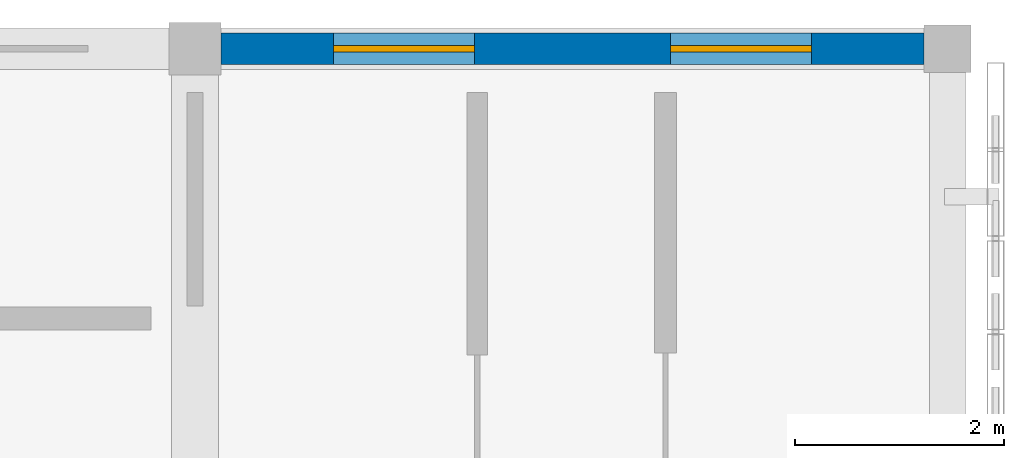
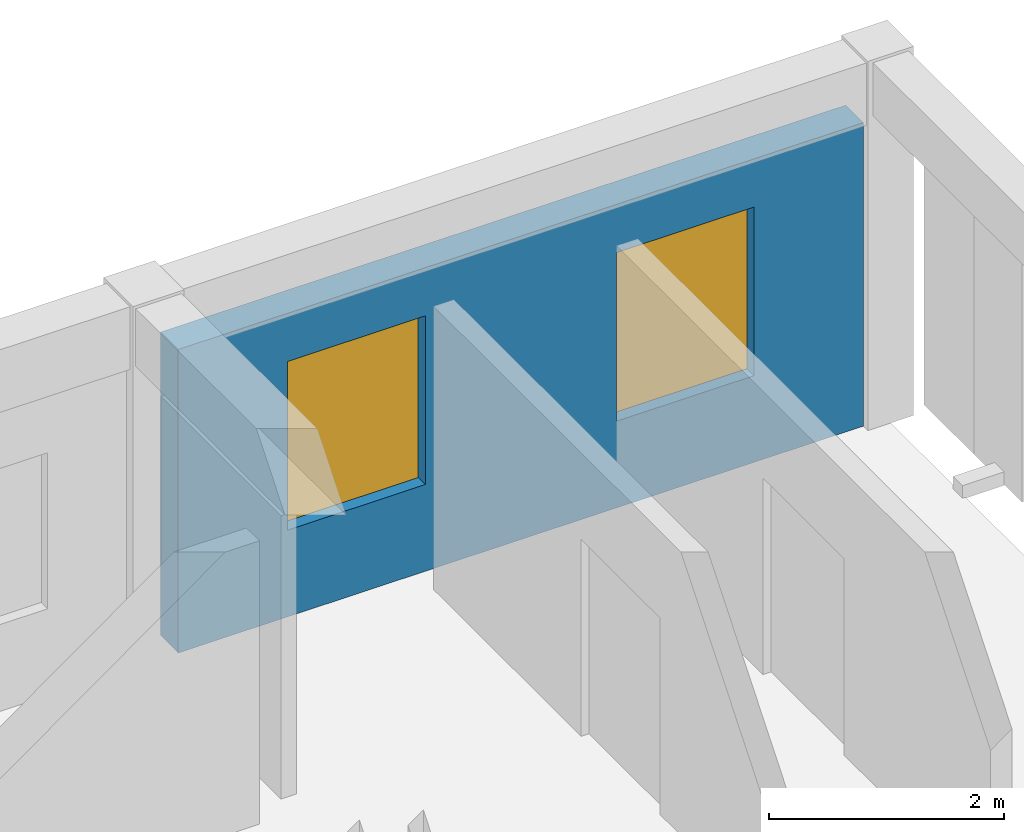
# One storey, part 28 of 33: 2 windows, 1 wall, 2 openings.
"""IFC4 building model written with IfcOpenShell, lengths in metres."""

from ifc_helpers import new_model, si_unit, direction, frame, frame_2d, origin, place, context, subcontext, project, spatial, rectangle, extrude, material, layer, layer_set, type_object, element, fill, save


model = new_model("IFC4")

# Units and contexts
model_context = context("Model", 3, precision=1e-05, world=origin(), true_north=direction((0.0, 1.0)))
body_context = subcontext(model_context, "Body", "Model", "MODEL_VIEW")
ifc_project = project(units=[si_unit("LENGTHUNIT", "METRE"), si_unit("AREAUNIT", "SQUARE_METRE"), si_unit("VOLUMEUNIT", "CUBIC_METRE"), si_unit("PLANEANGLEUNIT", "RADIAN"), si_unit("MASSUNIT", "GRAM", prefix="KILO")], contexts=[model_context])

# Site, building, storey
site_placement = place(None, origin())
site = spatial("IfcSite", under=ifc_project, at=site_placement, CompositionType="ELEMENT")
building_placement = place(site_placement, origin())
building = spatial("IfcBuilding", under=site, at=building_placement, Name="Aldebral Square Health Centre", CompositionType="ELEMENT")
storey_placement = place(building_placement, frame((0.0, 0.0, 17.550048828125)))
storey = spatial("IfcBuildingStorey", under=building, at=storey_placement, Name="L04", CompositionType="ELEMENT", Elevation=17.550048828125)

# Wall, openings, windows
ifc_material_1 = material(Name="Precast concrete C40/50 insulated panel", Category="concrete")
ifc_layer = layer(ifc_material_1, 0.300048828125, Name="Precast concrete C40/50 insulated panel", Category="concrete")
ifc_layer_set = layer_set([ifc_layer], Name="Precast concrete C40/50 insulated panel")
wall_type = type_object("IfcWallType", Name="EW-PRE-300", PredefinedType="STANDARD", material=ifc_layer_set)
wall_placement = place(storey_placement, frame((165.375, 115.199951171875, 0.0), z_axis=(0.0, 0.0, 1.0), x_axis=(-1.0, 0.0, 0.0)))
wall = element("IfcWall", 1, at=wall_placement, inside=storey, type_object=wall_type, Name="L04 V5 exterior wall L04-V5-22-15-N", PredefinedType="STANDARD", context=body_context, shape_type="SweptSolid", body=[
    extrude(rectangle(XDim=6.72509765625, YDim=0.300048828125, at=frame_2d((3.362548828125, 0.0))), origin(), (0.0, 0.0, 1.0), 3.14990234375),
])
opening_1_placement = place(wall_placement, frame((1.074951171875, 0.0, 0.89990234375)))
opening_1 = element("IfcOpeningElement", 2, at=opening_1_placement, cuts=wall, Name="Opening W40", PredefinedType="OPENING", context=body_context, shape_type="SweptSolid", body=[
    extrude(rectangle(XDim=1.35009765625, YDim=1.75, at=frame_2d((0.675048828125, 0.875))), frame((0.0, 0.16015625, 0.0), z_axis=(0.0, -1.0, 0.0), x_axis=(1.0, 0.0, 0.0)), (0.0, 0.0, 1.0), 0.320068359375),
])
opening_2_placement = place(wall_placement, frame((4.300048828125, 0.0, 0.89990234375)))
opening_2 = element("IfcOpeningElement", 3, at=opening_2_placement, cuts=wall, Name="Opening W40", PredefinedType="OPENING", context=body_context, shape_type="SweptSolid", body=[
    extrude(rectangle(XDim=1.35009765625, YDim=1.75, at=frame_2d((0.675048828125, 0.875))), frame((0.0, 0.16015625, 0.0), z_axis=(0.0, -1.0, 0.0), x_axis=(1.0, 0.0, 0.0)), (0.0, 0.0, 1.0), 0.320068359375),
])
ifc_material_2 = material(Name="Thermally broken aluminium and low-E glass", Category="aluminium")
window_type = type_object("IfcWindowType", Name="WIN-W40", PartitioningType="SINGLE_PANEL", PredefinedType="WINDOW", material=ifc_material_2)
window_1_placement = place(opening_1_placement, origin())
window_1 = element("IfcWindow", 4, at=window_1_placement, inside=storey, type_object=window_type, Name="L04 clinical window L04-V5-22-15-N.1", OverallHeight=1.75, OverallWidth=1.35009765625, PartitioningType="SINGLE_PANEL", PredefinedType="WINDOW", context=body_context, shape_type="SweptSolid", body=[
    extrude(rectangle(XDim=1.35009765625, YDim=1.75, at=frame_2d((0.675048828125, 0.875))), frame((0.0, 0.030029296875, 0.0), z_axis=(0.0, -1.0, 0.0), x_axis=(1.0, 0.0, 0.0)), (0.0, 0.0, 1.0), 0.06005859375),
])
fill(opening_1, window_1)
window_2_placement = place(opening_2_placement, origin())
window_2 = element("IfcWindow", 5, at=window_2_placement, inside=storey, type_object=window_type, Name="L04 clinical window L04-V5-22-15-N.2", OverallHeight=1.75, OverallWidth=1.35009765625, PartitioningType="SINGLE_PANEL", PredefinedType="WINDOW", context=body_context, shape_type="SweptSolid", body=[
    extrude(rectangle(XDim=1.35009765625, YDim=1.75, at=frame_2d((0.675048828125, 0.875))), frame((0.0, 0.030029296875, 0.0), z_axis=(0.0, -1.0, 0.0), x_axis=(1.0, 0.0, 0.0)), (0.0, 0.0, 1.0), 0.06005859375),
])
fill(opening_2, window_2)

save(model, "model.ifc")
